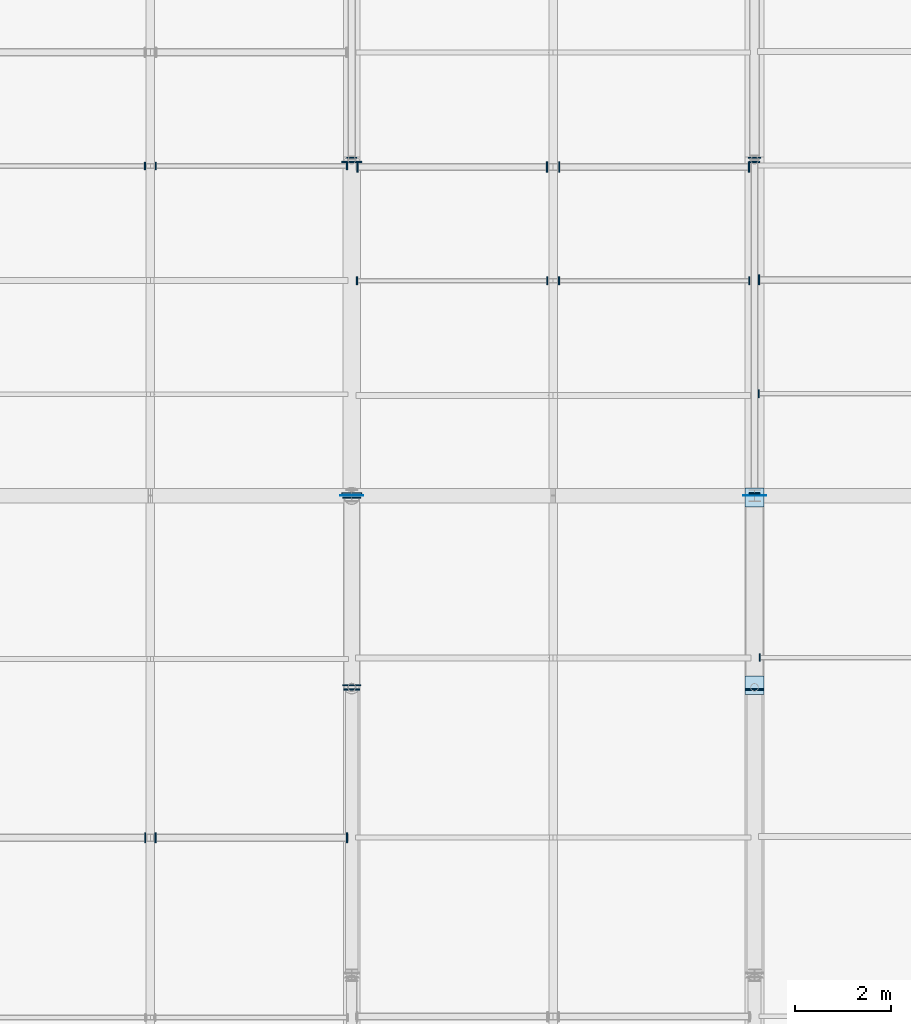
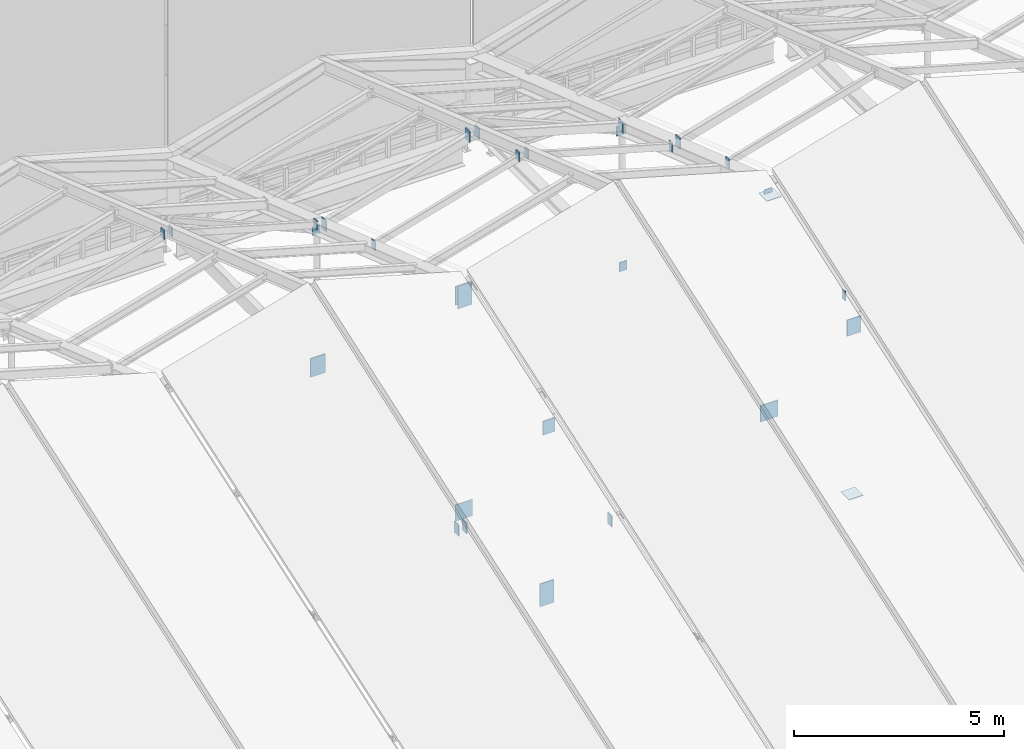
# One storey, part 65 of 77: 31 plates.
"""IFC4 building model written with IfcOpenShell, lengths in metres."""

from ifc_helpers import new_model, si_unit, direction, frame, origin, origin_2d, place, context, subcontext, project, spatial, rectangle, extrude, material, layer, layer_set, type_object, element, save


model = new_model("IFC4")

# Units and contexts
model_context = context("Model", 3, precision=1e-05, world=origin(), true_north=direction((0.0, 1.0)))
body_context = subcontext(model_context, "Body", "Model", "MODEL_VIEW")
ifc_project = project(units=[si_unit("LENGTHUNIT", "METRE"), si_unit("AREAUNIT", "SQUARE_METRE"), si_unit("VOLUMEUNIT", "CUBIC_METRE"), si_unit("PLANEANGLEUNIT", "RADIAN"), si_unit("MASSUNIT", "GRAM", prefix="KILO")], contexts=[model_context])

# Site, building, storey
site_placement = place(None, origin())
site = spatial("IfcSite", under=ifc_project, at=site_placement, CompositionType="ELEMENT")
building_placement = place(site_placement, origin())
building = spatial("IfcBuilding", under=site, at=building_placement, Name="Larkvane Passage Sports Hall", CompositionType="ELEMENT")
storey_placement = place(building_placement, frame((0.0, 0.0, 22.199951171875)))
storey = spatial("IfcBuildingStorey", under=building, at=storey_placement, Name="RF", CompositionType="ELEMENT", Elevation=22.199951171875)

# Plates
ifc_material_1 = material(Name="Steel S355JR", Category="steel")
ifc_layer_1 = layer(ifc_material_1, 0.011962890625)
ifc_layer_set_1 = layer_set([ifc_layer_1], Name="Steel S355JR")
plate_type_1 = type_object("IfcPlateType", Name="PLT-CAP-12", PredefinedType="SHEET", material=ifc_layer_set_1)
plate_1_placement = place(storey_placement, frame((68.39990234375, 57.5546875, 4.93359375), z_axis=(0.0, 0.0, 1.0), x_axis=(-1.0, 0.0, 0.0)))
element("IfcPlate", 1, at=plate_1_placement, inside=storey, type_object=plate_type_1, Name="Hollow section sealed end cap plate 0298", PredefinedType="SHEET", context=body_context, shape_type="SweptSolid", body=[
    extrude(rectangle(XDim=0.326904296875, YDim=0.028076171875, at=origin_2d()), origin(), (0.0, 0.0, 1.0), 0.406982421875),
])
plate_2_placement = place(storey_placement, frame((68.39990234375, 68.644775390625, 4.001953125), z_axis=(0.0, 0.0, 1.0), x_axis=(-1.0, 0.0, 0.0)))
element("IfcPlate", 2, at=plate_2_placement, inside=storey, type_object=plate_type_1, Name="Hollow section sealed end cap plate 0303", PredefinedType="SHEET", context=body_context, shape_type="SweptSolid", body=[
    extrude(rectangle(XDim=0.2099609375, YDim=0.028076171875, at=origin_2d()), origin(), (0.0, 0.0, 1.0), 0.23193359375),
])
for number, where, z_axis, x_axis, name in (
    (3, (76.800048828125, 61.6455078125, 6.36279296875), (0.0, 0.0, 1.0), (-1.0, 0.0, 0.0), "Hollow section sealed end cap plate 0315"),
    (4, (76.800048828125, 68.554443359375, 0.0546875), (0.0, 0.0, 1.0), (-1.0, 0.0, 0.0), "Hollow section sealed end cap plate 0316"),
):
    element("IfcPlate", number, at=place(storey_placement, frame(where, z_axis=z_axis, x_axis=x_axis)), inside=storey, type_object=plate_type_1, Name=name, PredefinedType="SHEET", context=body_context, shape_type="SweptSolid", body=[
        extrude(rectangle(XDim=0.2099609375, YDim=0.028076171875, at=origin_2d()), origin(), (0.0, 0.0, 1.0), 0.262939453125),
    ])
plate_3_placement = place(storey_placement, frame((76.800048828125, 68.644775390625, 3.947998046875), z_axis=(0.0, 0.0, 1.0), x_axis=(-1.0, 0.0, 0.0)))
element("IfcPlate", 5, at=plate_3_placement, inside=storey, type_object=plate_type_1, Name="Hollow section sealed end cap plate 0317", PredefinedType="SHEET", context=body_context, shape_type="SweptSolid", body=[
    extrude(rectangle(XDim=0.260009765625, YDim=0.028076171875, at=origin_2d()), origin(), (0.0, 0.0, 1.0), 0.2900390625),
])
for number, where, z_axis, x_axis, name in (
    (6, (64.307373046875, 54.462890625, 5.3779296875), (0.0, 0.0, 1.0), (0.0, 1.0, 0.0), "Hollow section sealed end cap plate 0452"),
    (7, (64.092529296875, 54.462890625, 5.3779296875), (0.0, 0.0, 1.0), (0.0, 1.0, 0.0), "Hollow section sealed end cap plate 0455"),
    (8, (68.30419921875, 54.462890625, 4.17431640625), (0.0, 0.0, 1.0), (0.0, 1.0, 0.0), "Hollow section sealed end cap plate 0456"),
):
    element("IfcPlate", number, at=place(storey_placement, frame(where, z_axis=z_axis, x_axis=x_axis)), inside=storey, type_object=plate_type_1, Name=name, PredefinedType="SHEET", context=body_context, shape_type="SweptSolid", body=[
        extrude(rectangle(XDim=0.2099609375, YDim=0.028076171875, at=origin_2d()), origin(), (0.0, 0.0, 1.0), 0.320068359375),
    ])
for number, where, z_axis, x_axis, name in (
    (9, (64.311279296875, 68.47314453125, 5.497802734375), (0.0, 0.0, 1.0), (0.0, 1.0, 0.0), "Hollow section sealed end cap plate 0458"),
    (10, (64.088623046875, 68.47314453125, 5.497802734375), (0.0, 0.0, 1.0), (0.0, 1.0, 0.0), "Hollow section sealed end cap plate 0461"),
    (11, (68.300048828125, 68.47314453125, 4.29443359375), (0.0, 0.0, 1.0), (0.0, 1.0, 0.0), "Hollow section sealed end cap plate 0462"),
    (12, (68.51025390625, 66.080810546875, 5.073974609375), (0.0, 0.0, 1.0), (0.0, 1.0, 0.0), "Hollow section sealed end cap plate 0473"),
    (13, (72.721923828125, 66.080810546875, 6.27734375), (0.0, 0.0, 1.0), (0.0, 1.0, 0.0), "Hollow section sealed end cap plate 0474"),
):
    element("IfcPlate", number, at=place(storey_placement, frame(where, z_axis=z_axis, x_axis=x_axis)), inside=storey, type_object=plate_type_1, Name=name, PredefinedType="SHEET", context=body_context, shape_type="SweptSolid", body=[
        extrude(rectangle(XDim=0.159912109375, YDim=0.028076171875, at=origin_2d()), origin(), (0.0, 0.0, 1.0), 0.26806640625),
    ])
for number, where, z_axis, x_axis, name in (
    (14, (68.516845703125, 68.452880859375, 4.208984375), (0.0, 0.0, 1.0), (0.0, 1.0, 0.0), "Hollow section sealed end cap plate 0475"),
    (15, (72.728515625, 68.452880859375, 5.41259765625), (0.0, 0.0, 1.0), (0.0, 1.0, 0.0), "Hollow section sealed end cap plate 0476"),
):
    element("IfcPlate", number, at=place(storey_placement, frame(where, z_axis=z_axis, x_axis=x_axis)), inside=storey, type_object=plate_type_1, Name=name, PredefinedType="SHEET", context=body_context, shape_type="SweptSolid", body=[
        extrude(rectangle(XDim=0.2099609375, YDim=0.028076171875, at=origin_2d()), origin(), (0.0, 0.0, 1.0), 0.320068359375),
    ])
for number, where, z_axis, x_axis, name in (
    (16, (72.47802734375, 66.080810546875, 6.27734375), (0.0, 0.0, 1.0), (0.0, 1.0, 0.0), "Hollow section sealed end cap plate 0477"),
    (17, (76.689697265625, 66.080810546875, 5.073974609375), (0.0, 0.0, 1.0), (0.0, 1.0, 0.0), "Hollow section sealed end cap plate 0478"),
):
    element("IfcPlate", number, at=place(storey_placement, frame(where, z_axis=z_axis, x_axis=x_axis)), inside=storey, type_object=plate_type_1, Name=name, PredefinedType="SHEET", context=body_context, shape_type="SweptSolid", body=[
        extrude(rectangle(XDim=0.159912109375, YDim=0.028076171875, at=origin_2d()), origin(), (0.0, 0.0, 1.0), 0.26806640625),
    ])
for number, where, z_axis, x_axis, name in (
    (18, (72.4716796875, 68.452880859375, 5.41259765625), (0.0, 0.0, 1.0), (0.0, 1.0, 0.0), "Hollow section sealed end cap plate 0479"),
    (19, (76.68310546875, 68.452880859375, 4.208984375), (0.0, 0.0, 1.0), (0.0, 1.0, 0.0), "Hollow section sealed end cap plate 0480"),
):
    element("IfcPlate", number, at=place(storey_placement, frame(where, z_axis=z_axis, x_axis=x_axis)), inside=storey, type_object=plate_type_1, Name=name, PredefinedType="SHEET", context=body_context, shape_type="SweptSolid", body=[
        extrude(rectangle(XDim=0.2099609375, YDim=0.028076171875, at=origin_2d()), origin(), (0.0, 0.0, 1.0), 0.320068359375),
    ])
for number, where, z_axis, x_axis, name in (
    (20, (76.91015625, 58.22021484375, 5.4423828125), (0.0, 0.0, 1.0), (0.0, 1.0, 0.0), "Hollow section sealed end cap plate 0485"),
    (21, (76.889404296875, 63.7255859375, 5.963134765625), (0.0, 0.0, 1.0), (0.0, 1.0, 0.0), "Hollow section sealed end cap plate 0493"),
):
    element("IfcPlate", number, at=place(storey_placement, frame(where, z_axis=z_axis, x_axis=x_axis)), inside=storey, type_object=plate_type_1, Name=name, PredefinedType="SHEET", context=body_context, shape_type="SweptSolid", body=[
        extrude(rectangle(XDim=0.159912109375, YDim=0.028076171875, at=origin_2d()), origin(), (0.0, 0.0, 1.0), 0.26806640625),
    ])
plate_4_placement = place(storey_placement, frame((76.89599609375, 66.097900390625, 5.09814453125), z_axis=(0.0, 0.0, 1.0), x_axis=(0.0, 1.0, 0.0)))
element("IfcPlate", 22, at=plate_4_placement, inside=storey, type_object=plate_type_1, Name="Hollow section sealed end cap plate 0495", PredefinedType="SHEET", context=body_context, shape_type="SweptSolid", body=[
    extrude(rectangle(XDim=0.2099609375, YDim=0.028076171875, at=origin_2d()), origin(), (0.0, 0.0, 1.0), 0.320068359375),
])
ifc_material_2 = material(Name="Steel S460N", Category="steel")
ifc_layer_2 = layer(ifc_material_2, 0.02001953125)
ifc_layer_set_2 = layer_set([ifc_layer_2], Name="Steel S460N")
plate_type_2 = type_object("IfcPlateType", Name="PLT-CAP-20", PredefinedType="SHEET", material=ifc_layer_set_2)
for number, where, z_axis, x_axis, name in (
    (23, (68.39990234375, 57.644775390625, -0.10009765625), (0.0, 0.0, 1.0), (-1.0, 0.0, 0.0), "Hollow section sealed end cap plate 0299"),
    (24, (68.39990234375, 61.555419921875, 6.19189453125), (0.0, 0.0, 1.0), (-1.0, 0.0, 0.0), "Hollow section sealed end cap plate 0300"),
):
    element("IfcPlate", number, at=place(storey_placement, frame(where, z_axis=z_axis, x_axis=x_axis)), inside=storey, type_object=plate_type_2, Name=name, PredefinedType="SHEET", context=body_context, shape_type="SweptSolid", body=[
        extrude(rectangle(XDim=0.37890625, YDim=0.028076171875, at=origin_2d()), origin(), (0.0, 0.0, 1.0), 0.6630859375),
    ])
for number, where, z_axis, x_axis, name in (
    (25, (68.39990234375, 61.642578125, 6.251220703125), (0.0, 0.0, 1.0), (-1.0, 0.0, 0.0), "Hollow section sealed end cap plate 0301"),
    (26, (68.39990234375, 68.557373046875, -0.037109375), (0.0, 0.0, 1.0), (-1.0, 0.0, 0.0), "Hollow section sealed end cap plate 0302"),
):
    element("IfcPlate", number, at=place(storey_placement, frame(where, z_axis=z_axis, x_axis=x_axis)), inside=storey, type_object=plate_type_2, Name=name, PredefinedType="SHEET", context=body_context, shape_type="SweptSolid", body=[
        extrude(rectangle(XDim=0.416015625, YDim=0.028076171875, at=origin_2d()), origin(), (0.0, 0.0, 1.0), 0.541015625),
    ])
plate_5_placement = place(storey_placement, frame((76.800048828125, 57.5576171875, 4.877197265625), z_axis=(0.0, 0.0, 1.0), x_axis=(-1.0, 0.0, 0.0)))
element("IfcPlate", 27, at=plate_5_placement, inside=storey, type_object=plate_type_2, Name="Hollow section sealed end cap plate 0312", PredefinedType="SHEET", context=body_context, shape_type="SweptSolid", body=[
    extrude(rectangle(XDim=0.37890625, YDim=0.028076171875, at=origin_2d()), origin(), (0.0, 0.0, 1.0), 0.47509765625),
])
for number, where, z_axis, x_axis, name in (
    (28, (76.800048828125, 57.644775390625, 0.171630859375), (0.0, 0.0, 1.0), (1.0, 0.0, 0.0), "Hollow section sealed end cap plate 0313"),
    (29, (76.800048828125, 61.555419921875, 6.488525390625), (0.0, 0.0, 1.0), (1.0, 0.0, 0.0), "Hollow section sealed end cap plate 0314"),
):
    element("IfcPlate", number, at=place(storey_placement, frame(where, z_axis=z_axis, x_axis=x_axis)), inside=storey, type_object=plate_type_2, Name=name, PredefinedType="SHEET", context=body_context, shape_type="SweptSolid", body=[
        extrude(rectangle(XDim=0.39599609375, YDim=0.39599609375, at=origin_2d()), origin(), (0.0, 0.0, 1.0), 0.02001953125),
    ])
ifc_layer_3 = layer(ifc_material_2, 0.01611328125)
ifc_layer_set_3 = layer_set([ifc_layer_3], Name="Steel S460N")
plate_type_3 = type_object("IfcPlateType", Name="PLT-GUS-16", PredefinedType="USERDEFINED", material=ifc_layer_set_3)
for number, where, z_axis, x_axis, name in (
    (30, (68.39990234375, 61.60009765625, 0.0), (0.0, 0.0, 1.0), (1.0, 0.0, 0.0), "Brace connection gusset plate 0305"),
    (31, (76.800048828125, 61.60009765625, -0.050048828125), (0.0, 0.0, 1.0), (1.0, 0.0, 0.0), "Brace connection gusset plate 0319"),
):
    element("IfcPlate", number, at=place(storey_placement, frame(where, z_axis=z_axis, x_axis=x_axis)), inside=storey, type_object=plate_type_3, Name=name, ObjectType="GUSSET PLATE", PredefinedType="USERDEFINED", context=body_context, shape_type="SweptSolid", body=[
        extrude(rectangle(XDim=0.47998046875, YDim=0.01611328125, at=origin_2d()), origin(), (0.0, 0.0, 1.0), 0.47998046875),
    ])

save(model, "model.ifc")
